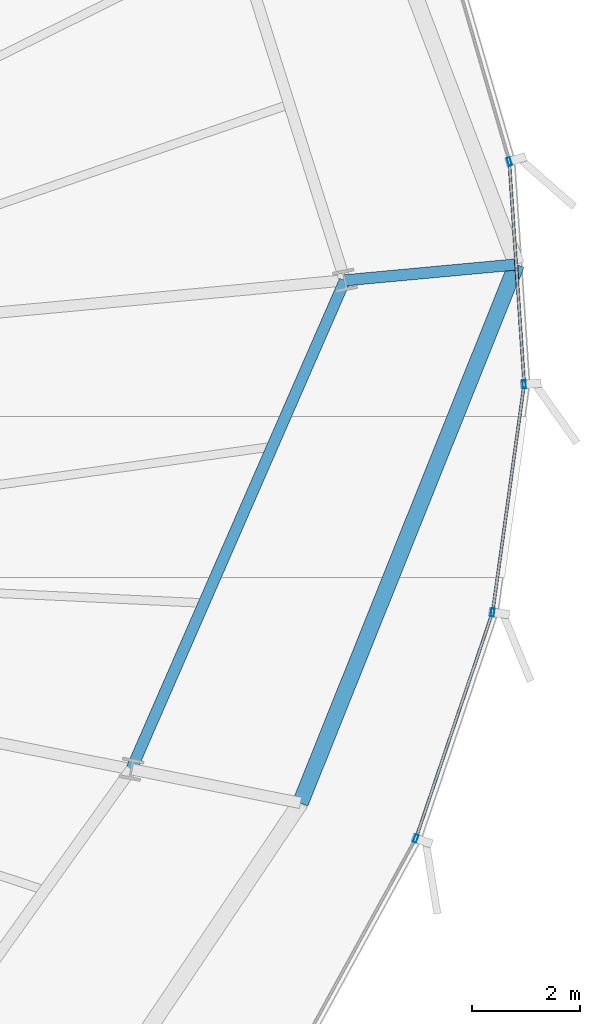
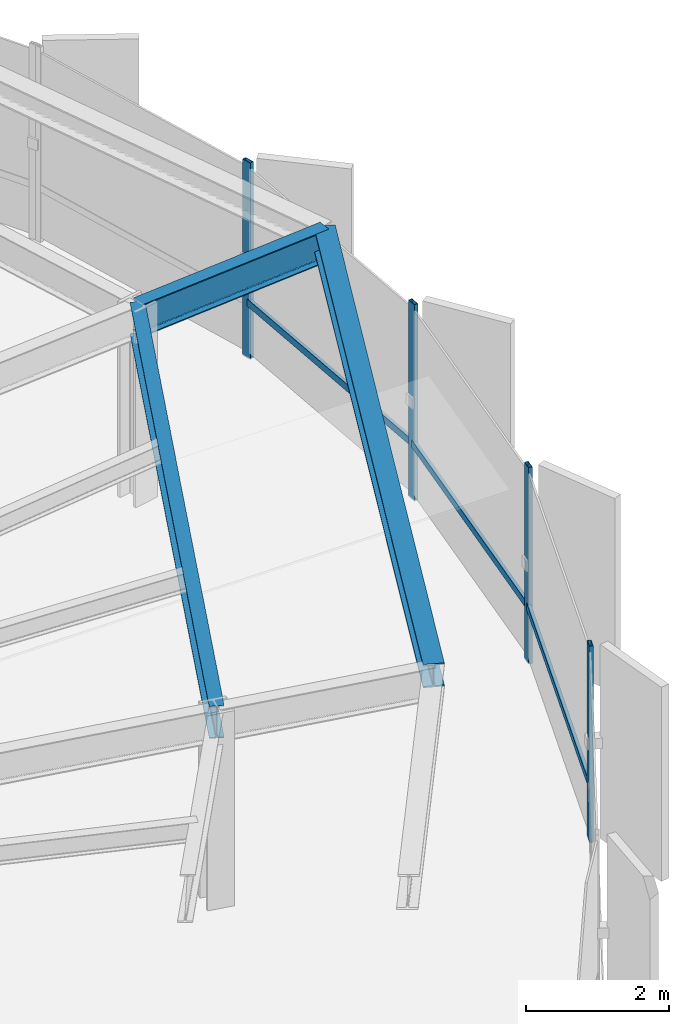
# One storey, part 16 of 34: 7 members, 3 beams, 1 element without a shape of its own.
"""IFC4 building model written with IfcOpenShell, lengths in metres."""

from ifc_helpers import new_model, si_unit, direction, frame, origin, origin_2d, place, context, subcontext, project, spatial, hollow_rectangle, i_section, extrude, source, transform, mapped, material, layer, layer_set, material_profile, profile_set, type_object, element, aggregate, save


model = new_model("IFC4")

# Units and contexts
model_context = context("Model", 3, precision=1e-05, world=origin(), true_north=direction((0.0, 1.0)))
body_context = subcontext(model_context, "Body", "Model", "MODEL_VIEW")
ifc_project = project(units=[si_unit("LENGTHUNIT", "METRE"), si_unit("AREAUNIT", "SQUARE_METRE"), si_unit("VOLUMEUNIT", "CUBIC_METRE"), si_unit("PLANEANGLEUNIT", "RADIAN"), si_unit("MASSUNIT", "GRAM", prefix="KILO"), si_unit("THERMODYNAMICTEMPERATUREUNIT", "KELVIN")], contexts=[model_context])

# Site, building, storey
site_placement = place(None, origin())
site = spatial("IfcSite", under=ifc_project, at=site_placement, CompositionType="ELEMENT")
building_placement = place(site_placement, origin())
building = spatial("IfcBuilding", under=site, at=building_placement, Name="Kethvar Cultural Tower", CompositionType="ELEMENT")
storey_placement = place(building_placement, frame((0.0, 0.0, 125.199951171875)))
storey = spatial("IfcBuildingStorey", under=building, at=storey_placement, Name="L31", CompositionType="ELEMENT", Elevation=125.199951171875)

# Beams
ifc_material_1 = material(Name="Steel S355J2", Category="steel")
ifc_material_profile_1 = material_profile(ifc_material_1, i_section(OverallWidth=0.2099609375, OverallDepth=0.550048828125, WebThickness=0.010986328125, FlangeThickness=0.01708984375, FilletRadius=0.02392578125, at=origin_2d()), Name="Steel S355J2 — IPE550")
ifc_profile_set_1 = profile_set([ifc_material_profile_1], Name="Steel S355J2 — IPE550")
beam_type_1 = type_object("IfcBeamType", Name="BM-IPE550", PredefinedType="BEAM", material=ifc_profile_set_1)
shared_shape_1 = source(origin(), body_context, "Body", "SweptSolid", [
    extrude(i_section(OverallWidth=0.2099609375, OverallDepth=0.550048828125, WebThickness=0.010986328125, FlangeThickness=0.01708984375, FilletRadius=0.02392578125, at=origin_2d()), origin(), (0.0, 0.0, 1.0), 3.199951171875),
])
beam_1_placement = place(storey_placement, frame((71.6025390625, 32.7333984375, 3.072998046875), z_axis=(0.995729641608, 0.092317283453, 0.0), x_axis=(-0.092317283453, 0.995729641608, 0.0)))
element("IfcBeam", 1, at=beam_1_placement, inside=storey, type_object=beam_type_1, Name="L31 Perimeter Cantilever Beam RC-01", PredefinedType="BEAM", context=body_context, shape_type="MappedRepresentation", body=[
    mapped(shared_shape_1, transform((0.0, 0.0, 0.0), scale=1.0)),
])
shared_shape_2 = source(origin(), body_context, "Body", "SweptSolid", [
    extrude(i_section(OverallWidth=0.2099609375, OverallDepth=0.550048828125, WebThickness=0.010986328125, FlangeThickness=0.01708984375, FilletRadius=0.02392578125, at=origin_2d()), origin(), (0.0, 0.0, 1.0), 9.90625),
])
beam_2_placement = place(storey_placement, frame((67.638671875, 23.65478515625, 3.072998046875), z_axis=(0.400138679026, 0.916454602011, 0.0), x_axis=(-0.916454602011, 0.400138679026, 0.0)))
element("IfcBeam", 2, at=beam_2_placement, inside=storey, type_object=beam_type_1, Name="L31 Column Ring Tie Beam CR-16", PredefinedType="BEAM", context=body_context, shape_type="MappedRepresentation", body=[
    mapped(shared_shape_2, transform((0.0, 0.0, 0.0), scale=1.0)),
])
ifc_material_profile_2 = material_profile(ifc_material_1, i_section(OverallWidth=0.300048828125, OverallDepth=0.39990234375, WebThickness=0.013427734375, FlangeThickness=0.02392578125, FilletRadius=0.027099609375, at=origin_2d()), Name="Steel S355J2 — HEB400")
ifc_profile_set_2 = profile_set([ifc_material_profile_2], Name="Steel S355J2 — HEB400")
beam_type_2 = type_object("IfcBeamType", Name="BM-SP400", PredefinedType="SPANDREL", material=ifc_profile_set_2)
shared_shape_3 = source(origin(), body_context, "Body", "SweptSolid", [
    extrude(i_section(OverallWidth=0.300048828125, OverallDepth=0.39990234375, WebThickness=0.013427734375, FlangeThickness=0.02392578125, FilletRadius=0.027099609375, at=origin_2d()), origin(), (0.0, 0.0, 1.0), 10.773193359375),
])
beam_3_placement = place(storey_placement, frame((70.777099609375, 23.030517578125, 3.14794921875), z_axis=(0.372382905959, 0.928079183771, 0.0), x_axis=(-0.928079183771, 0.372382905959, 0.0)))
element("IfcBeam", 3, at=beam_3_placement, inside=storey, type_object=beam_type_2, Name="L31 Perimeter Spandrel Beam SP-16", PredefinedType="SPANDREL", context=body_context, shape_type="MappedRepresentation", body=[
    mapped(shared_shape_3, transform((0.0, 0.0, 0.0), scale=1.0)),
])

# Curtain wall, members
ifc_material_2 = material(Name="Aluminium 6063-T6", Category="aluminium")
ifc_layer = layer(ifc_material_2, 0.179931640625, Name="Aluminium 6063-T6", Category="aluminium")
ifc_layer_set = layer_set([ifc_layer], Name="Aluminium 6063-T6 (180 mm)")
curtain_wall_type = type_object("IfcCurtainWallType", Name="CW-SYS-03-Z2", PredefinedType="NOTDEFINED", material=ifc_layer_set)
curtain_wall_placement = place(storey_placement, origin())
curtain_wall = element("IfcCurtainWall", 4, at=curtain_wall_placement, inside=storey, type_object=curtain_wall_type, Name="L31 Curtain Wall Run 06", PredefinedType="NOTDEFINED")
ifc_material_profile_3 = material_profile(ifc_material_2, hollow_rectangle(XDim=0.06005859375, YDim=0.14990234375, WallThickness=0.0048828125, at=origin_2d()), Name="Aluminium 6063-T6 — RHS150x60x5")
ifc_profile_set_3 = profile_set([ifc_material_profile_3], Name="Aluminium 6063-T6 — RHS150x60x5")
member_type_1 = type_object("IfcMemberType", Name="CW-SYS-03-Z2-MUL", PredefinedType="MULLION", material=ifc_profile_set_3)
shared_shape_4 = source(origin(), body_context, "Body", "SweptSolid", [
    extrude(hollow_rectangle(XDim=0.06005859375, YDim=0.14990234375, WallThickness=0.0048828125, at=origin_2d()), origin(), (0.0, 0.0, 1.0), 3.35009765625),
])
member_1_placement = place(storey_placement, frame((72.919921875, 22.369873046875, 0.0), z_axis=(0.0, 0.0, 1.0), x_axis=(-0.947081499128, 0.320993199319, 0.0)))
member_1 = element("IfcMember", 5, at=member_1_placement, type_object=member_type_1, Name="CW-L31-R06 Mullion 3", PredefinedType="MULLION", context=body_context, shape_type="MappedRepresentation", body=[
    mapped(shared_shape_4, transform((0.0, 0.0, 0.0), scale=1.0)),
])
member_2_placement = place(storey_placement, frame((74.34521484375, 26.56884765625, 0.0), z_axis=(0.0, 0.0, 1.0), x_axis=(-0.990593238521, 0.136839452631, 0.0)))
member_2 = element("IfcMember", 6, at=member_2_placement, type_object=member_type_1, Name="CW-L31-R06 Mullion 4", PredefinedType="MULLION", context=body_context, shape_type="MappedRepresentation", body=[
    mapped(shared_shape_4, transform((0.0, 0.0, 0.0), scale=1.0)),
])
member_3_placement = place(storey_placement, frame((74.9326171875, 30.802978515625, 0.0), z_axis=(0.0, 0.0, 1.0), x_axis=(-0.997751449293, -0.067022723265, 0.0)))
member_3 = element("IfcMember", 7, at=member_3_placement, type_object=member_type_1, Name="CW-L31-R06 Mullion 5", PredefinedType="MULLION", context=body_context, shape_type="MappedRepresentation", body=[
    mapped(shared_shape_4, transform((0.0, 0.0, 0.0), scale=1.0)),
])
member_4_placement = place(storey_placement, frame((74.6572265625, 34.940673828125, 0.0), z_axis=(0.0, 0.0, 1.0), x_axis=(-0.960293685677, -0.278991106039, 0.0)))
member_4 = element("IfcMember", 8, at=member_4_placement, type_object=member_type_1, Name="CW-L31-R06 Mullion 6", PredefinedType="MULLION", context=body_context, shape_type="MappedRepresentation", body=[
    mapped(shared_shape_4, transform((0.0, 0.0, 0.0), scale=1.0)),
])
ifc_material_profile_4 = material_profile(ifc_material_2, hollow_rectangle(XDim=0.054931640625, YDim=0.1201171875, WallThickness=0.00390625, at=origin_2d()), Name="Aluminium 6063-T6 — RHS120x55x4")
ifc_profile_set_4 = profile_set([ifc_material_profile_4], Name="Aluminium 6063-T6 — RHS120x55x4")
member_type_2 = type_object("IfcMemberType", Name="CW-SYS-03-Z2-TRN", PredefinedType="USERDEFINED", material=ifc_profile_set_4)
shared_shape_5 = source(origin(), body_context, "Body", "SweptSolid", [
    extrude(hollow_rectangle(XDim=0.054931640625, YDim=0.1201171875, WallThickness=0.00390625, at=origin_2d()), origin(), (0.0, 0.0, 1.0), 4.211181640625),
])
member_5_placement = place(storey_placement, frame((74.35107421875, 26.61181640625, 0.949951171875), z_axis=(0.136874765465, 0.990588359804, 0.0), x_axis=(-0.990588359804, 0.136874765465, 0.0)))
member_5 = element("IfcMember", 9, at=member_5_placement, type_object=member_type_2, Name="CW-L31-R06 Transom 4", ObjectType="TRANSOM", PredefinedType="USERDEFINED", context=body_context, shape_type="MappedRepresentation", body=[
    mapped(shared_shape_5, transform((0.0, 0.0, 0.0), scale=1.0)),
])
shared_shape_6 = source(origin(), body_context, "Body", "SweptSolid", [
    extrude(hollow_rectangle(XDim=0.054931640625, YDim=0.1201171875, WallThickness=0.00390625, at=origin_2d()), origin(), (0.0, 0.0, 1.0), 4.369873046875),
])
member_6_placement = place(storey_placement, frame((72.93359375, 22.41064453125, 0.949951171875), z_axis=(0.320967086781, 0.947090349018, 0.0), x_axis=(-0.947090349018, 0.320967086781, 0.0)))
member_6 = element("IfcMember", 10, at=member_6_placement, type_object=member_type_2, Name="CW-L31-R06 Transom 3", ObjectType="TRANSOM", PredefinedType="USERDEFINED", context=body_context, shape_type="MappedRepresentation", body=[
    mapped(shared_shape_6, transform((0.0, 0.0, 0.0), scale=1.0)),
])
shared_shape_7 = source(origin(), body_context, "Body", "SweptSolid", [
    extrude(hollow_rectangle(XDim=0.054931640625, YDim=0.1201171875, WallThickness=0.00390625, at=origin_2d()), origin(), (0.0, 0.0, 1.0), 4.085205078125),
])
member_7_placement = place(storey_placement, frame((74.9296875, 30.845947265625, 0.949951171875), z_axis=(-0.067054491238, 0.99774931481, 0.0), x_axis=(-0.99774931481, -0.067054491238, 0.0)))
member_7 = element("IfcMember", 11, at=member_7_placement, type_object=member_type_2, Name="CW-L31-R06 Transom 5", ObjectType="TRANSOM", PredefinedType="USERDEFINED", context=body_context, shape_type="MappedRepresentation", body=[
    mapped(shared_shape_7, transform((0.0, 0.0, 0.0), scale=1.0)),
])
aggregate(curtain_wall, [member_1, member_2, member_3, member_4, member_6, member_5, member_7])

save(model, "model.ifc")
